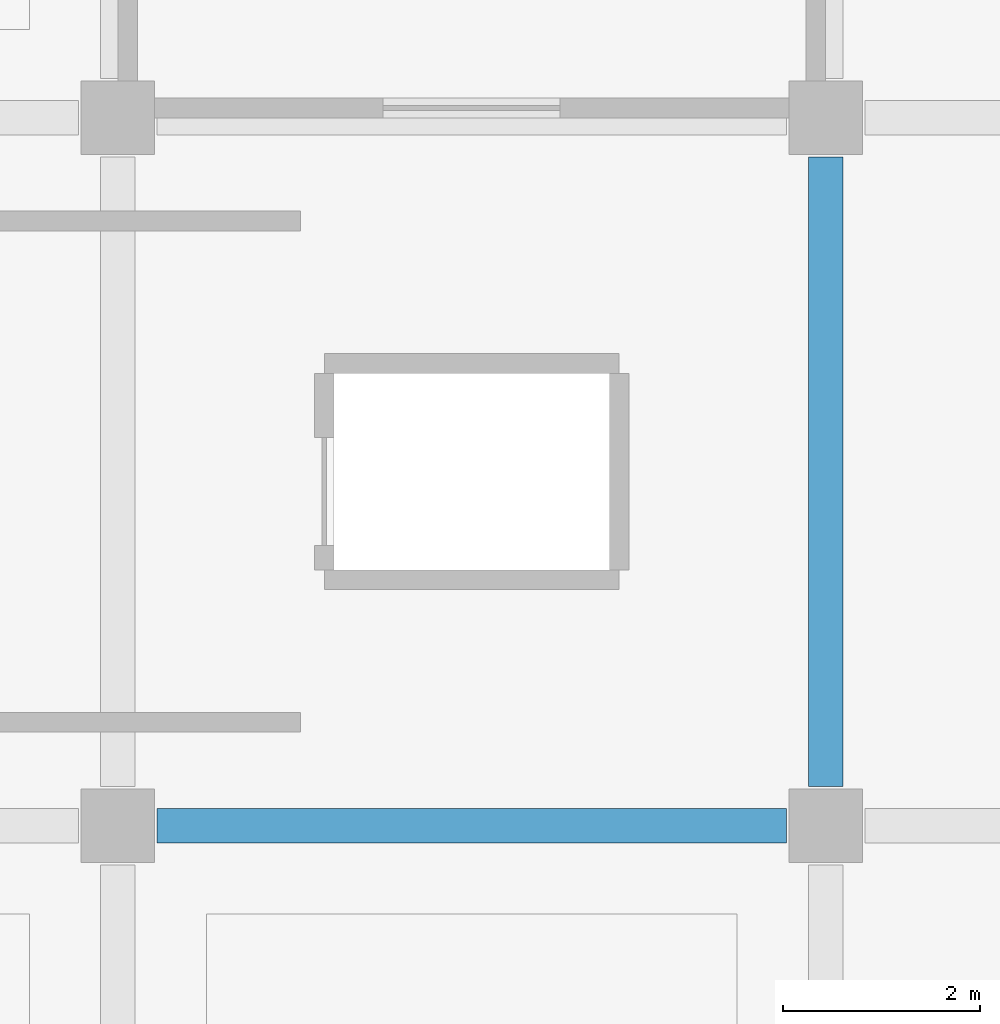
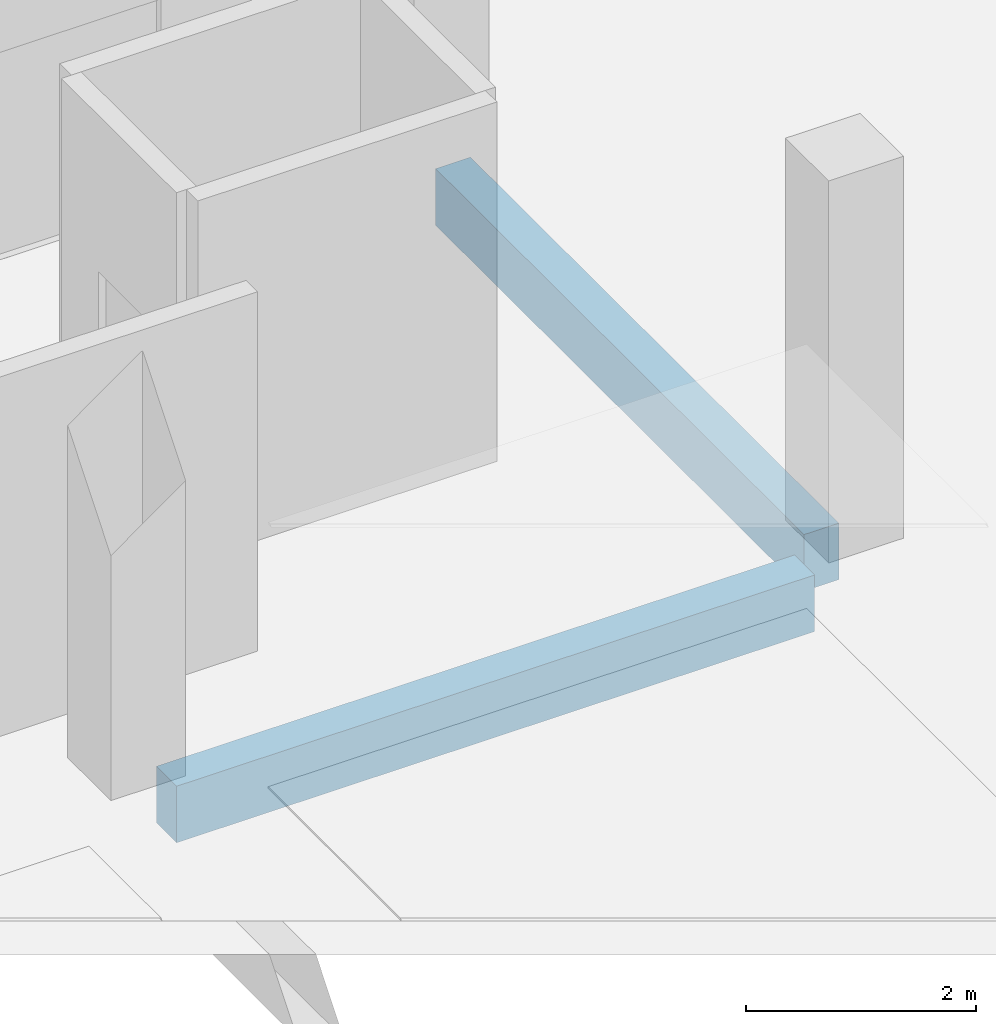
# One storey, part 46 of 108: 2 beams.
"""IFC4 building model written with IfcOpenShell, lengths in metres."""

from ifc_helpers import new_model, si_unit, direction, frame, origin, origin_2d, place, context, subcontext, project, spatial, rectangle, extrude, material, material_profile, profile_set, type_object, element, save


model = new_model("IFC4")

# Units and contexts
model_context = context("Model", 3, precision=1e-05, world=origin(), true_north=direction((0.0, 1.0)))
body_context = subcontext(model_context, "Body", "Model", "MODEL_VIEW")
ifc_project = project(units=[si_unit("LENGTHUNIT", "METRE"), si_unit("AREAUNIT", "SQUARE_METRE"), si_unit("VOLUMEUNIT", "CUBIC_METRE"), si_unit("PLANEANGLEUNIT", "RADIAN"), si_unit("MASSUNIT", "GRAM", prefix="KILO")], contexts=[model_context])

# Site, building, storey
site_placement = place(None, origin())
site = spatial("IfcSite", under=ifc_project, at=site_placement, CompositionType="ELEMENT")
building_placement = place(site_placement, origin())
building = spatial("IfcBuilding", under=site, at=building_placement, Name="Kangsadwip Square Police Headquarters", CompositionType="ELEMENT")
storey_placement = place(building_placement, frame((0.0, 0.0, 9.449951171875)))
storey = spatial("IfcBuildingStorey", under=building, at=storey_placement, Name="L02", CompositionType="ELEMENT", Elevation=9.449951171875)

# Beams
ifc_material = material(Name="Concrete M35 (35 MPa)", Category="concrete")
ifc_material_profile = material_profile(ifc_material, rectangle(XDim=0.35009765625, YDim=0.60009765625, at=origin_2d()), Name="RC BM 600X350")
ifc_profile_set = profile_set([ifc_material_profile], Name="Concrete M35 (35 MPa)")
beam_type = type_object("IfcBeamType", Name="RcBeam600x350", PredefinedType="BEAM", material=ifc_profile_set)
for number, where, z_axis, x_axis, name in (
    (1, (151.60009765625, 50.39990234375, -0.5400390625), (1.0, 0.0, 0.0), (0.0, 1.0, 0.0), "Beam BM-L02-X-21-07"),
    (2, (158.39990234375, 50.800048828125, -0.5400390625), (0.0, 1.0, 0.0), (-1.0, 0.0, 0.0), "Beam BM-L02-Y-22-07"),
):
    element("IfcBeam", number, at=place(storey_placement, frame(where, z_axis=z_axis, x_axis=x_axis)), inside=storey, type_object=beam_type, Name=name, PredefinedType="BEAM", context=body_context, shape_type="SweptSolid", body=[
        extrude(rectangle(XDim=0.35009765625, YDim=0.60009765625, at=origin_2d()), origin(), (0.0, 0.0, 1.0), 6.39990234375),
    ])

save(model, "model.ifc")
